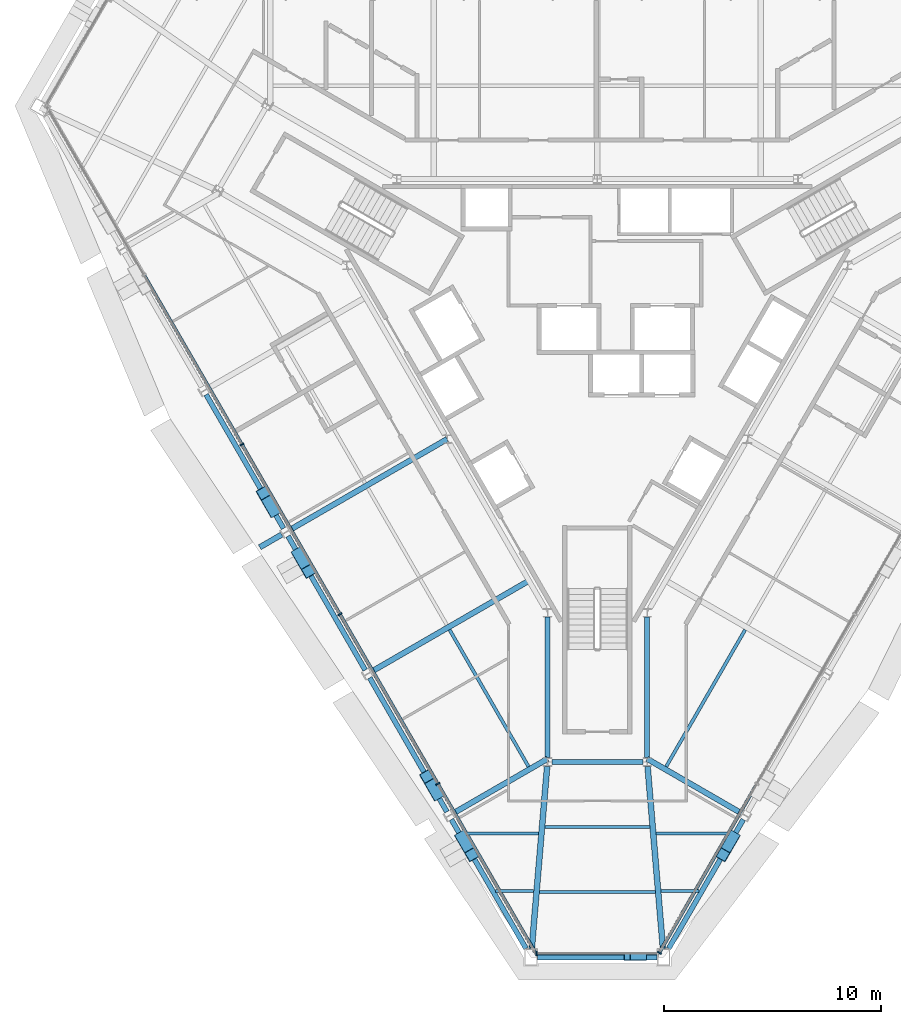
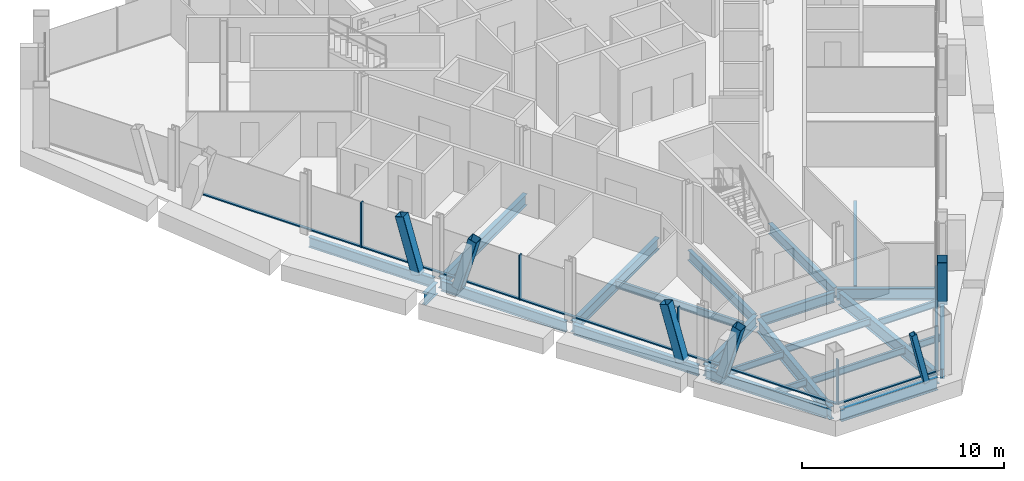
# One storey, part 2 of 13: 24 beams, 17 members, 3 elements without a shape of their own.
"""IFC4 building model written with IfcOpenShell, lengths in metres."""

from ifc_helpers import new_model, si_unit, direction, frame, origin, origin_2d, place, context, subcontext, project, spatial, rectangle, hollow_rectangle, i_section, extrude, material, material_profile, profile_set, type_object, element, aggregate, save


model = new_model("IFC4")

# Units and contexts
model_context = context("Model", 3, precision=1e-05, world=origin(), true_north=direction((0.0, 1.0)))
body_context = subcontext(model_context, "Body", "Model", "MODEL_VIEW")
ifc_project = project(units=[si_unit("LENGTHUNIT", "METRE"), si_unit("AREAUNIT", "SQUARE_METRE"), si_unit("VOLUMEUNIT", "CUBIC_METRE"), si_unit("PLANEANGLEUNIT", "RADIAN"), si_unit("MASSUNIT", "GRAM", prefix="KILO")], contexts=[model_context])

# Site, building, storey
site_placement = place(None, origin())
site = spatial("IfcSite", under=ifc_project, at=site_placement, CompositionType="ELEMENT")
building_placement = place(site_placement, origin())
building = spatial("IfcBuilding", under=site, at=building_placement, Name="Verrane Prism Tower", CompositionType="ELEMENT")
storey_placement = place(building_placement, frame((0.0, 0.0, 152.5)))
storey = spatial("IfcBuildingStorey", under=building, at=storey_placement, Name="L37", CompositionType="ELEMENT", Elevation=152.5)

# Member
ifc_material_1 = material(Name="Steel A500 Grade C", Category="steel")
ifc_material_profile_1 = material_profile(ifc_material_1, hollow_rectangle(XDim=0.3046875, YDim=0.3046875, WallThickness=0.0126953125, InnerFilletRadius=0.00634765625, OuterFilletRadius=0.01904296875, at=origin_2d()), Name="HSS12x12x1/2")
ifc_profile_set_1 = profile_set([ifc_material_profile_1], Name="Steel A500 Grade C")
member_type_1 = type_object("IfcMemberType", Name="Chamfer brace HSS12x12x1/2", PredefinedType="BRACE", material=ifc_profile_set_1)
member_1_placement = place(storey_placement, frame((2.11572265625, -27.909912109375, -0.24267578125), z_axis=(-0.229942523452, 0.0, 0.973204210795), x_axis=(0.0, -1.0, 0.0)))
element("IfcMember", 1, at=member_1_placement, inside=storey, type_object=member_type_1, Name="Chamfer brace S0 L37", PredefinedType="BRACE", context=body_context, shape_type="SweptSolid", body=[
    extrude(hollow_rectangle(XDim=0.3046875, YDim=0.3046875, WallThickness=0.0126953125, InnerFilletRadius=0.00634765625, OuterFilletRadius=0.01904296875, at=origin_2d()), origin(), (0.0, 0.0, 1.0), 3.19384765625),
])

# Beams
ifc_material_2 = material(Name="Steel A992", Category="steel")
ifc_material_profile_2 = material_profile(ifc_material_2, i_section(OverallWidth=0.2666015625, OverallDepth=0.7568359375, WebThickness=0.013916015625, FlangeThickness=0.019287109375, FilletRadius=0.0166015625, at=origin_2d()), Name="W30x108")
ifc_profile_set_2 = profile_set([ifc_material_profile_2], Name="Steel A992")
beam_type_1 = type_object("IfcBeamType", Name="Chamfer spandrel beam W30x108", PredefinedType="SPANDREL", material=ifc_profile_set_2)
beam_1_placement = place(storey_placement, frame((-2.760009765625, -27.909912109375, -0.53857421875), z_axis=(1.0, 0.0, 0.0), x_axis=(0.0, 1.0, 0.0)))
element("IfcBeam", 2, at=beam_1_placement, inside=storey, type_object=beam_type_1, Name="Chamfer spandrel beam L37", PredefinedType="SPANDREL", context=body_context, shape_type="SweptSolid", body=[
    extrude(i_section(OverallWidth=0.2666015625, OverallDepth=0.7568359375, WebThickness=0.013916015625, FlangeThickness=0.019287109375, FilletRadius=0.0166015625, at=origin_2d()), origin(), (0.0, 0.0, 1.0), 5.52001953125),
])
ifc_material_3 = material(Name="Steel A992", Category="steel")
ifc_material_profile_3 = material_profile(ifc_material_3, i_section(OverallWidth=0.23046875, OverallDepth=0.6171875, WebThickness=0.01318359375, FlangeThickness=0.022216796875, FilletRadius=0.012939453125, at=origin_2d()), Name="W24x94")
ifc_profile_set_3 = profile_set([ifc_material_profile_3], Name="Steel A992")
beam_type_2 = type_object("IfcBeamType", Name="Core ring girder W24x94", PredefinedType="BEAM", material=ifc_profile_set_3)
beam_2_placement = place(storey_placement, frame((-2.300048828125, -12.219482421875, -0.55859375), z_axis=(0.0, -1.0, 0.0), x_axis=(1.0, 0.0, 0.0)))
element("IfcBeam", 3, at=beam_2_placement, inside=storey, type_object=beam_type_2, Name="Core ring girder L37", PredefinedType="BEAM", context=body_context, shape_type="SweptSolid", body=[
    extrude(i_section(OverallWidth=0.23046875, OverallDepth=0.6171875, WebThickness=0.01318359375, FlangeThickness=0.022216796875, FilletRadius=0.012939453125, at=origin_2d()), origin(), (0.0, 0.0, 1.0), 6.47216796875),
])
beam_3_placement = place(storey_placement, frame((-2.0966796875, -18.89990234375, -0.55859375), z_axis=(1.0, 0.0, 0.0), x_axis=(0.0, 1.0, 0.0)))
element("IfcBeam", 4, at=beam_3_placement, inside=storey, type_object=beam_type_2, Name="Core ring girder L37", PredefinedType="BEAM", context=body_context, shape_type="SweptSolid", body=[
    extrude(i_section(OverallWidth=0.23046875, OverallDepth=0.6171875, WebThickness=0.01318359375, FlangeThickness=0.022216796875, FilletRadius=0.012939453125, at=origin_2d()), origin(), (0.0, 0.0, 1.0), 4.193359375),
])
beam_4_placement = place(storey_placement, frame((2.300048828125, -18.691650390625, -0.55859375), z_axis=(0.0, 1.0, 0.0), x_axis=(-1.0, 0.0, 0.0)))
element("IfcBeam", 5, at=beam_4_placement, inside=storey, type_object=beam_type_2, Name="Core ring girder L37", PredefinedType="BEAM", context=body_context, shape_type="SweptSolid", body=[
    extrude(i_section(OverallWidth=0.23046875, OverallDepth=0.6171875, WebThickness=0.01318359375, FlangeThickness=0.022216796875, FilletRadius=0.012939453125, at=origin_2d()), origin(), (0.0, 0.0, 1.0), 6.47216796875),
])
ifc_material_4 = material(Name="Steel A992", Category="steel")
ifc_material_profile_4 = material_profile(ifc_material_4, i_section(OverallWidth=0.2666015625, OverallDepth=0.76708984375, WebThickness=0.014892578125, FlangeThickness=0.023681640625, FilletRadius=0.0166015625, at=origin_2d()), Name="W30x124")
ifc_profile_set_4 = profile_set([ifc_material_profile_4], Name="Steel A992")
beam_type_3 = type_object("IfcBeamType", Name="Corner girder W30x124", PredefinedType="BEAM", material=ifc_profile_set_4)
for number, where, z_axis, x_axis, name in (
    (6, (-3.0263671875, -27.510009765625, -0.603515625), (0.084059094497, 0.996460771246, 0.0), (-0.996460771246, 0.084059094497, 0.0), "Corner girder L37"),
    (7, (3.0263671875, -27.510009765625, -0.603515625), (-0.084059094497, 0.996460771246, 0.0), (-0.996460771246, -0.084059094497, 0.0), "Corner girder L37"),
):
    element("IfcBeam", number, at=place(storey_placement, frame(where, z_axis=z_axis, x_axis=x_axis)), inside=storey, type_object=beam_type_3, Name=name, PredefinedType="BEAM", context=body_context, shape_type="SweptSolid", body=[
        extrude(i_section(OverallWidth=0.2666015625, OverallDepth=0.76708984375, WebThickness=0.014892578125, FlangeThickness=0.023681640625, FilletRadius=0.0166015625, at=origin_2d()), origin(), (0.0, 0.0, 1.0), 8.431396484375),
    ])

# Members
ifc_material_5 = material(Name="Steel A500 Grade C", Category="steel")
ifc_material_profile_5 = material_profile(ifc_material_5, hollow_rectangle(XDim=0.508056640625, YDim=0.508056640625, WallThickness=0.01904296875, InnerFilletRadius=0.009521484375, OuterFilletRadius=0.028564453125, at=origin_2d()), Name="HSS20x20x3/4")
ifc_profile_set_5 = profile_set([ifc_material_profile_5], Name="Steel A500 Grade C")
member_type_2 = type_object("IfcMemberType", Name="Facade brace HSS20x20x3/4", PredefinedType="BRACE", material=ifc_profile_set_5)
member_2_placement = place(storey_placement, frame((-14.956787109375, -7.3037109375, -0.216796875), z_axis=(-0.140068643314, 0.242076749518, 0.960093548829), x_axis=(-0.865551922742, -0.500819197952, 0.0)))
element("IfcMember", 8, at=member_2_placement, inside=storey, type_object=member_type_2, Name="Facade brace SW2 L37", PredefinedType="BRACE", context=body_context, shape_type="SweptSolid", body=[
    extrude(hollow_rectangle(XDim=0.508056640625, YDim=0.508056640625, WallThickness=0.01904296875, InnerFilletRadius=0.009521484375, OuterFilletRadius=0.028564453125, at=origin_2d()), origin(), (0.0, 0.0, 1.0), 3.3291015625),
])
for number, where, z_axis, x_axis, name in (
    (9, (-13.8046875, -9.2978515625, -0.216796875), (0.139696727642, -0.242434321043, 0.960057510916), (0.866447259568, 0.499268611457, 0.0), "Facade brace SW3 L37"),
    (10, (-7.415283203125, -20.382080078125, -0.216796875), (-0.139768627074, 0.242431836886, 0.960047673478), (-0.866333877494, -0.499465326831, 0.0), "Facade brace SW4 L37"),
):
    element("IfcMember", number, at=place(storey_placement, frame(where, z_axis=z_axis, x_axis=x_axis)), inside=storey, type_object=member_type_2, Name=name, PredefinedType="BRACE", context=body_context, shape_type="SweptSolid", body=[
        extrude(hollow_rectangle(XDim=0.508056640625, YDim=0.508056640625, WallThickness=0.01904296875, InnerFilletRadius=0.009521484375, OuterFilletRadius=0.028564453125, at=origin_2d()), origin(), (0.0, 0.0, 1.0), 3.329345703125),
    ])
for number, where, z_axis, x_axis, name in (
    (11, (-6.26318359375, -22.37646484375, -0.216796875), (0.140071129578, -0.24200771079, 0.960110590806), (0.865486133119, 0.500932883108, 0.0), "Facade brace SW5 L37"),
    (12, (6.26318359375, -22.37646484375, -0.216796875), (-0.140071129578, -0.24200771079, 0.960110590806), (0.865486133119, -0.500932883108, 0.0), "Facade brace SE0 L37"),
):
    element("IfcMember", number, at=place(storey_placement, frame(where, z_axis=z_axis, x_axis=x_axis)), inside=storey, type_object=member_type_2, Name=name, PredefinedType="BRACE", context=body_context, shape_type="SweptSolid", body=[
        extrude(hollow_rectangle(XDim=0.508056640625, YDim=0.508056640625, WallThickness=0.01904296875, InnerFilletRadius=0.009521484375, OuterFilletRadius=0.028564453125, at=origin_2d()), origin(), (0.0, 0.0, 1.0), 3.3291015625),
    ])

# Beams
ifc_material_6 = material(Name="Steel A992", Category="steel")
ifc_material_profile_6 = material_profile(ifc_material_6, i_section(OverallWidth=0.140380859375, OverallDepth=0.40380859375, WebThickness=0.007080078125, FlangeThickness=0.01123046875, FilletRadius=0.01025390625, at=origin_2d()), Name="W16x31")
ifc_profile_set_6 = profile_set([ifc_material_profile_6], Name="Steel A992")
beam_type_4 = type_object("IfcBeamType", Name="Floor beam W16x31", PredefinedType="BEAM", material=ifc_profile_set_6)
beam_5_placement = place(storey_placement, frame((-4.692626953125, -24.860107421875, -0.36181640625), z_axis=(1.0, 0.0, 0.0), x_axis=(0.0, 1.0, 0.0)))
element("IfcBeam", 13, at=beam_5_placement, inside=storey, type_object=beam_type_4, Name="Floor beam L37", PredefinedType="BEAM", context=body_context, shape_type="SweptSolid", body=[
    extrude(i_section(OverallWidth=0.140380859375, OverallDepth=0.40380859375, WebThickness=0.007080078125, FlangeThickness=0.01123046875, FilletRadius=0.01025390625, at=origin_2d()), origin(), (0.0, 0.0, 1.0), 1.755859375),
])
beam_6_placement = place(storey_placement, frame((-6.226806640625, -22.2099609375, -0.36181640625), z_axis=(1.0, 0.0, 0.0), x_axis=(0.0, 1.0, 0.0)))
element("IfcBeam", 14, at=beam_6_placement, inside=storey, type_object=beam_type_4, Name="Floor beam L37", PredefinedType="BEAM", context=body_context, shape_type="SweptSolid", body=[
    extrude(i_section(OverallWidth=0.140380859375, OverallDepth=0.40380859375, WebThickness=0.007080078125, FlangeThickness=0.01123046875, FilletRadius=0.01025390625, at=origin_2d()), origin(), (0.0, 0.0, 1.0), 3.513671875),
])
beam_7_placement = place(storey_placement, frame((2.936767578125, -24.860107421875, -0.36181640625), z_axis=(1.0, 0.0, 0.0), x_axis=(0.0, 1.0, 0.0)))
element("IfcBeam", 15, at=beam_7_placement, inside=storey, type_object=beam_type_4, Name="Floor beam L37", PredefinedType="BEAM", context=body_context, shape_type="SweptSolid", body=[
    extrude(i_section(OverallWidth=0.140380859375, OverallDepth=0.40380859375, WebThickness=0.007080078125, FlangeThickness=0.01123046875, FilletRadius=0.01025390625, at=origin_2d()), origin(), (0.0, 0.0, 1.0), 1.755859375),
])
beam_8_placement = place(storey_placement, frame((2.713134765625, -22.2099609375, -0.36181640625), z_axis=(1.0, 0.0, 0.0), x_axis=(0.0, 1.0, 0.0)))
element("IfcBeam", 16, at=beam_8_placement, inside=storey, type_object=beam_type_4, Name="Floor beam L37", PredefinedType="BEAM", context=body_context, shape_type="SweptSolid", body=[
    extrude(i_section(OverallWidth=0.140380859375, OverallDepth=0.40380859375, WebThickness=0.007080078125, FlangeThickness=0.01123046875, FilletRadius=0.01025390625, at=origin_2d()), origin(), (0.0, 0.0, 1.0), 3.513671875),
])
beam_9_placement = place(storey_placement, frame((-2.672607421875, -24.90673828125, -0.36181640625), z_axis=(1.0, 0.0, 0.0), x_axis=(0.0, 1.0, 0.0)))
element("IfcBeam", 17, at=beam_9_placement, inside=storey, type_object=beam_type_4, Name="Floor beam L37", PredefinedType="BEAM", context=body_context, shape_type="SweptSolid", body=[
    extrude(i_section(OverallWidth=0.140380859375, OverallDepth=0.40380859375, WebThickness=0.007080078125, FlangeThickness=0.01123046875, FilletRadius=0.01025390625, at=origin_2d()), origin(), (0.0, 0.0, 1.0), 5.34521484375),
])
beam_10_placement = place(storey_placement, frame((-2.41943359375, -21.9033203125, -0.36181640625), z_axis=(1.0, 0.0, 0.0), x_axis=(0.0, 1.0, 0.0)))
element("IfcBeam", 18, at=beam_10_placement, inside=storey, type_object=beam_type_4, Name="Floor beam L37", PredefinedType="BEAM", context=body_context, shape_type="SweptSolid", body=[
    extrude(i_section(OverallWidth=0.140380859375, OverallDepth=0.40380859375, WebThickness=0.007080078125, FlangeThickness=0.01123046875, FilletRadius=0.01025390625, at=origin_2d()), origin(), (0.0, 0.0, 1.0), 4.8388671875),
])
ifc_material_7 = material(Name="Steel A992", Category="steel")
ifc_material_profile_7 = material_profile(ifc_material_7, i_section(OverallWidth=0.15234375, OverallDepth=0.449462890625, WebThickness=0.007568359375, FlangeThickness=0.0107421875, FilletRadius=0.01025390625, at=origin_2d()), Name="W18x35")
ifc_profile_set_7 = profile_set([ifc_material_profile_7], Name="Steel A992")
beam_type_5 = type_object("IfcBeamType", Name="Floor beam W18x35", PredefinedType="BEAM", material=ifc_profile_set_7)
for number, where, z_axis, x_axis, name in (
    (19, (-3.174072265625, -19.117919921875, -0.384765625), (-0.499983176524, 0.866035116605, 0.0), (-0.866035116605, -0.499983176524, 0.0), "Floor beam L37"),
    (20, (3.174072265625, -19.117919921875, -0.384765625), (0.499983176524, 0.866035116605, 0.0), (-0.866035116605, 0.499983176524, 0.0), "Floor beam L37"),
):
    element("IfcBeam", number, at=place(storey_placement, frame(where, z_axis=z_axis, x_axis=x_axis)), inside=storey, type_object=beam_type_5, Name=name, PredefinedType="BEAM", context=body_context, shape_type="SweptSolid", body=[
        extrude(i_section(OverallWidth=0.15234375, OverallDepth=0.449462890625, WebThickness=0.007568359375, FlangeThickness=0.0107421875, FilletRadius=0.01025390625, at=origin_2d()), origin(), (0.0, 0.0, 1.0), 7.295166015625),
    ])

# Curtain wall, members
ifc_material_8 = material(Name="Aluminium framed insulated glazing", Category="aluminium")
curtain_wall_type = type_object("IfcCurtainWallType", Name="Curtain wall CW-A 8400 module", PredefinedType="NOTDEFINED", material=ifc_material_8)
curtain_wall_1_placement = place(storey_placement, origin())
curtain_wall_1 = element("IfcCurtainWall", 21, at=curtain_wall_1_placement, inside=storey, type_object=curtain_wall_type, Name="Glazed curtain wall south-west face L37", PredefinedType="NOTDEFINED")
ifc_material_9 = material(Name="Aluminium alloy 6063-T6", Category="aluminium")
ifc_material_profile_8 = material_profile(ifc_material_9, rectangle(XDim=0.199951171875, YDim=0.070068359375, at=origin_2d()), Name="Mullion 70x200 aluminium")
ifc_profile_set_8 = profile_set([ifc_material_profile_8], Name="Aluminium alloy 6063-T6")
member_type_3 = type_object("IfcMemberType", Name="Mullion 70x200 aluminium", PredefinedType="MULLION", material=ifc_profile_set_8)
member_3_placement = place(storey_placement, frame((-16.403076171875, -4.251220703125, 0.0), z_axis=(0.0, 0.0, 1.0), x_axis=(0.866025097191, 0.500000531035, 0.0)))
member_3 = element("IfcMember", 22, at=member_3_placement, type_object=member_type_3, Name="CW36.4 mullion 3", PredefinedType="MULLION", context=body_context, shape_type="SweptSolid", body=[
    extrude(rectangle(XDim=0.199951171875, YDim=0.070068359375, at=origin_2d()), origin(), (0.0, 0.0, 1.0), 2.712890625),
])
member_4_placement = place(storey_placement, frame((-11.883056640625, -12.079833984375, 0.0), z_axis=(0.0, 0.0, 1.0), x_axis=(0.866025097191, 0.500000531035, 0.0)))
member_4 = element("IfcMember", 23, at=member_4_placement, type_object=member_type_3, Name="CW36.4 mullion 4", PredefinedType="MULLION", context=body_context, shape_type="SweptSolid", body=[
    extrude(rectangle(XDim=0.199951171875, YDim=0.070068359375, at=origin_2d()), origin(), (0.0, 0.0, 1.0), 2.712890625),
])
member_5_placement = place(storey_placement, frame((-7.36328125, -19.90869140625, 0.0), z_axis=(0.0, 0.0, 1.0), x_axis=(0.866025097191, 0.500000531035, 0.0)))
member_5 = element("IfcMember", 24, at=member_5_placement, type_object=member_type_3, Name="CW36.4 mullion 5", PredefinedType="MULLION", context=body_context, shape_type="SweptSolid", body=[
    extrude(rectangle(XDim=0.199951171875, YDim=0.070068359375, at=origin_2d()), origin(), (0.0, 0.0, 1.0), 2.712890625),
])

# Curtain wall, member
curtain_wall_2_placement = place(storey_placement, origin())
curtain_wall_2 = element("IfcCurtainWall", 25, at=curtain_wall_2_placement, inside=storey, type_object=curtain_wall_type, Name="Glazed curtain wall south corner L37", PredefinedType="NOTDEFINED")
member_6_placement = place(storey_placement, frame((-2.808349609375, -27.7373046875, 0.0), z_axis=(0.0, 0.0, 1.0), x_axis=(0.0, 1.0, 0.0)))
member_6 = element("IfcMember", 26, at=member_6_placement, type_object=member_type_3, Name="CW36.5 mullion 1", PredefinedType="MULLION", context=body_context, shape_type="SweptSolid", body=[
    extrude(rectangle(XDim=0.199951171875, YDim=0.070068359375, at=origin_2d()), origin(), (0.0, 0.0, 1.0), 2.712890625),
])

curtain_wall_3_placement = place(storey_placement, origin())
curtain_wall_3 = element("IfcCurtainWall", 27, at=curtain_wall_3_placement, inside=storey, type_object=curtain_wall_type, Name="Glazed curtain wall south-east face L37", PredefinedType="NOTDEFINED")
member_7_placement = place(storey_placement, frame((2.86083984375, -27.70703125, 0.0), z_axis=(0.0, 0.0, 1.0), x_axis=(-0.866025097191, 0.500000531035, 0.0)))
member_7 = element("IfcMember", 28, at=member_7_placement, type_object=member_type_3, Name="CW36.6 mullion 1", PredefinedType="MULLION", context=body_context, shape_type="SweptSolid", body=[
    extrude(rectangle(XDim=0.199951171875, YDim=0.070068359375, at=origin_2d()), origin(), (0.0, 0.0, 1.0), 2.712890625),
])

# Beams
ifc_material_10 = material(Name="Steel A992", Category="steel")
ifc_material_profile_9 = material_profile(ifc_material_10, i_section(OverallWidth=0.25390625, OverallDepth=0.683349609375, WebThickness=0.012451171875, FlangeThickness=0.01904296875, FilletRadius=0.01513671875, at=origin_2d()), Name="W27x94")
ifc_profile_set_9 = profile_set([ifc_material_profile_9], Name="Steel A992")
beam_type_6 = type_object("IfcBeamType", Name="Radial girder W27x94", PredefinedType="BEAM", material=ifc_profile_set_9)
beam_11_placement = place(storey_placement, frame((-14.19189453125, -8.19140625, -0.5615234375), z_axis=(0.866027030928, 0.499997181693, 0.0), x_axis=(-0.499997181693, 0.866027030928, 0.0)))
element("IfcBeam", 29, at=beam_11_placement, inside=storey, type_object=beam_type_6, Name="Radial girder L37", PredefinedType="BEAM", context=body_context, shape_type="SweptSolid", body=[
    extrude(i_section(OverallWidth=0.25390625, OverallDepth=0.683349609375, WebThickness=0.012451171875, FlangeThickness=0.01904296875, FilletRadius=0.01513671875, at=origin_2d()), origin(), (0.0, 0.0, 1.0), 8.384765625),
])
beam_12_placement = place(storey_placement, frame((-10.421875, -14.7314453125, -0.5615234375), z_axis=(0.866017422895, 0.500013823051, 0.0), x_axis=(-0.500013823051, 0.866017422895, 0.0)))
element("IfcBeam", 30, at=beam_12_placement, inside=storey, type_object=beam_type_6, Name="Radial girder L37", PredefinedType="BEAM", context=body_context, shape_type="SweptSolid", body=[
    extrude(i_section(OverallWidth=0.25390625, OverallDepth=0.683349609375, WebThickness=0.012451171875, FlangeThickness=0.01904296875, FilletRadius=0.01513671875, at=origin_2d()), origin(), (0.0, 0.0, 1.0), 8.389404296875),
])
for number, where, z_axis, x_axis, name in (
    (31, (-6.65185546875, -21.271484375, -0.5615234375), (0.866010015463, 0.500026652407, 0.0), (-0.500026652407, 0.866010015463, 0.0), "Radial girder L37"),
    (32, (6.65185546875, -21.271484375, -0.5615234375), (-0.866010015463, 0.500026652407, 0.0), (-0.500026652407, -0.866010015463, 0.0), "Radial girder L37"),
):
    element("IfcBeam", number, at=place(storey_placement, frame(where, z_axis=z_axis, x_axis=x_axis)), inside=storey, type_object=beam_type_6, Name=name, PredefinedType="BEAM", context=body_context, shape_type="SweptSolid", body=[
        extrude(i_section(OverallWidth=0.25390625, OverallDepth=0.683349609375, WebThickness=0.012451171875, FlangeThickness=0.01904296875, FilletRadius=0.01513671875, at=origin_2d()), origin(), (0.0, 0.0, 1.0), 5.025146484375),
    ])
beam_13_placement = place(storey_placement, frame((-14.564697265625, -8.406494140625, -0.5615234375), z_axis=(-0.86592915448, -0.500166671641, 0.0), x_axis=(0.500166671641, -0.86592915448, 0.0)))
element("IfcBeam", 33, at=beam_13_placement, inside=storey, type_object=beam_type_6, Name="Cantilever girder L37", PredefinedType="BEAM", context=body_context, shape_type="SweptSolid", body=[
    extrude(i_section(OverallWidth=0.25390625, OverallDepth=0.683349609375, WebThickness=0.012451171875, FlangeThickness=0.01904296875, FilletRadius=0.01513671875, at=origin_2d()), origin(), (0.0, 0.0, 1.0), 1.17333984375),
])
ifc_material_11 = material(Name="Steel A992", Category="steel")
ifc_material_profile_10 = material_profile(ifc_material_11, i_section(OverallWidth=0.23046875, OverallDepth=0.6171875, WebThickness=0.01318359375, FlangeThickness=0.022216796875, FilletRadius=0.012939453125, at=origin_2d()), Name="W24x94")
ifc_profile_set_10 = profile_set([ifc_material_profile_10], Name="Steel A992")
beam_type_7 = type_object("IfcBeamType", Name="Spandrel beam W24x94", PredefinedType="SPANDREL", material=ifc_profile_set_10)
beam_14_placement = place(storey_placement, frame((-18.056884765625, -1.947998046875, -0.468505859375), z_axis=(0.500974211218, -0.865462211592, 0.0), x_axis=(0.865462211592, 0.500974211218, 0.0)))
element("IfcBeam", 34, at=beam_14_placement, inside=storey, type_object=beam_type_7, Name="Spandrel beam L37", PredefinedType="SPANDREL", context=body_context, shape_type="SweptSolid", body=[
    extrude(i_section(OverallWidth=0.23046875, OverallDepth=0.6171875, WebThickness=0.01318359375, FlangeThickness=0.022216796875, FilletRadius=0.012939453125, at=origin_2d()), origin(), (0.0, 0.0, 1.0), 7.133544921875),
])
for number, where, z_axis, x_axis, name in (
    (35, (-14.27734375, -8.478271484375, -0.468505859375), (0.499432230493, -0.866352957601, 0.0), (0.866352957601, 0.499432230493, 0.0), "Spandrel beam L37"),
    (36, (-10.50732421875, -15.018310546875, -0.468505859375), (0.499432230493, -0.866352957601, 0.0), (0.866352957601, 0.499432230493, 0.0), "Spandrel beam L37"),
):
    element("IfcBeam", number, at=place(storey_placement, frame(where, z_axis=z_axis, x_axis=x_axis)), inside=storey, type_object=beam_type_7, Name=name, PredefinedType="SPANDREL", context=body_context, shape_type="SweptSolid", body=[
        extrude(i_section(OverallWidth=0.23046875, OverallDepth=0.6171875, WebThickness=0.01318359375, FlangeThickness=0.022216796875, FilletRadius=0.012939453125, at=origin_2d()), origin(), (0.0, 0.0, 1.0), 7.137451171875),
    ])
for number, where, z_axis, x_axis, name in (
    (37, (-6.73681640625, -21.55810546875, -0.468505859375), (0.500978894628, -0.865459500576, 0.0), (0.865459500576, 0.500978894628, 0.0), "Spandrel beam L37"),
    (38, (3.29150390625, -27.510009765625, -0.468505859375), (0.500978894628, 0.865459500576, 0.0), (-0.865459500576, 0.500978894628, 0.0), "Spandrel beam L37"),
):
    element("IfcBeam", number, at=place(storey_placement, frame(where, z_axis=z_axis, x_axis=x_axis)), inside=storey, type_object=beam_type_7, Name=name, PredefinedType="SPANDREL", context=body_context, shape_type="SweptSolid", body=[
        extrude(i_section(OverallWidth=0.23046875, OverallDepth=0.6171875, WebThickness=0.01318359375, FlangeThickness=0.022216796875, FilletRadius=0.012939453125, at=origin_2d()), origin(), (0.0, 0.0, 1.0), 6.877197265625),
    ])

# Member
ifc_material_12 = material(Name="Aluminium alloy 6063-T6", Category="aluminium")
ifc_material_profile_11 = material_profile(ifc_material_12, rectangle(XDim=0.14990234375, YDim=0.070068359375, at=origin_2d()), Name="Transom 70x150 aluminium")
ifc_profile_set_11 = profile_set([ifc_material_profile_11], Name="Aluminium alloy 6063-T6")
member_type_4 = type_object("IfcMemberType", Name="Transom 70x150 aluminium", PredefinedType="USERDEFINED", material=ifc_profile_set_11)
member_8_placement = place(storey_placement, frame((-20.905517578125, 3.54736328125, 0.034912109375), z_axis=(0.49998554304, -0.866033750353, 0.0), x_axis=(0.866033750353, 0.49998554304, 0.0)))
member_8 = element("IfcMember", 39, at=member_8_placement, type_object=member_type_4, Name="CW36.4 transom 2", ObjectType="TRANSOM", PredefinedType="USERDEFINED", context=body_context, shape_type="SweptSolid", body=[
    extrude(rectangle(XDim=0.14990234375, YDim=0.070068359375, at=origin_2d()), origin(), (0.0, 0.0, 1.0), 8.969970703125),
])

member_9_placement = place(storey_placement, frame((-16.385498046875, -4.281494140625, 0.034912109375), z_axis=(0.499997328569, -0.86602694613, 0.0), x_axis=(0.86602694613, 0.499997328569, 0.0)))
member_9 = element("IfcMember", 40, at=member_9_placement, type_object=member_type_4, Name="CW36.4 transom 3", ObjectType="TRANSOM", PredefinedType="USERDEFINED", context=body_context, shape_type="SweptSolid", body=[
    extrude(rectangle(XDim=0.14990234375, YDim=0.070068359375, at=origin_2d()), origin(), (0.0, 0.0, 1.0), 8.9697265625),
])

member_10_placement = place(storey_placement, frame((-11.86572265625, -12.110107421875, 0.034912109375), z_axis=(0.500017741834, -0.866015160289, 0.0), x_axis=(0.866015160289, 0.500017741834, 0.0)))
member_10 = element("IfcMember", 41, at=member_10_placement, type_object=member_type_4, Name="CW36.4 transom 4", ObjectType="TRANSOM", PredefinedType="USERDEFINED", context=body_context, shape_type="SweptSolid", body=[
    extrude(rectangle(XDim=0.14990234375, YDim=0.070068359375, at=origin_2d()), origin(), (0.0, 0.0, 1.0), 8.969970703125),
])

member_11_placement = place(storey_placement, frame((-7.345703125, -19.93896484375, 0.034912109375), z_axis=(0.500005646842, -0.866022143554, 0.0), x_axis=(0.866022143554, 0.500005646842, 0.0)))
member_11 = element("IfcMember", 42, at=member_11_placement, type_object=member_type_4, Name="CW36.4 transom 5", ObjectType="TRANSOM", PredefinedType="USERDEFINED", context=body_context, shape_type="SweptSolid", body=[
    extrude(rectangle(XDim=0.14990234375, YDim=0.070068359375, at=origin_2d()), origin(), (0.0, 0.0, 1.0), 9.0048828125),
])

aggregate(curtain_wall_1, [member_3, member_4, member_5, member_8, member_9, member_10, member_11])

member_12_placement = place(storey_placement, frame((-2.773193359375, -27.7373046875, 0.034912109375), z_axis=(1.0, 0.0, 0.0), x_axis=(0.0, 1.0, 0.0)))
member_12 = element("IfcMember", 43, at=member_12_placement, type_object=member_type_4, Name="CW36.5 transom 1", ObjectType="TRANSOM", PredefinedType="USERDEFINED", context=body_context, shape_type="SweptSolid", body=[
    extrude(rectangle(XDim=0.14990234375, YDim=0.070068359375, at=origin_2d()), origin(), (0.0, 0.0, 1.0), 5.616455078125),
])

aggregate(curtain_wall_2, [member_6, member_12])

member_13_placement = place(storey_placement, frame((2.87841796875, -27.6767578125, 0.034912109375), z_axis=(0.499988945067, 0.866031786259, 0.0), x_axis=(-0.866031786259, 0.499988945067, 0.0)))
member_13 = element("IfcMember", 44, at=member_13_placement, type_object=member_type_4, Name="CW36.6 transom 1", ObjectType="TRANSOM", PredefinedType="USERDEFINED", context=body_context, shape_type="SweptSolid", body=[
    extrude(rectangle(XDim=0.14990234375, YDim=0.070068359375, at=origin_2d()), origin(), (0.0, 0.0, 1.0), 8.934814453125),
])

aggregate(curtain_wall_3, [member_7, member_13])

save(model, "model.ifc")
